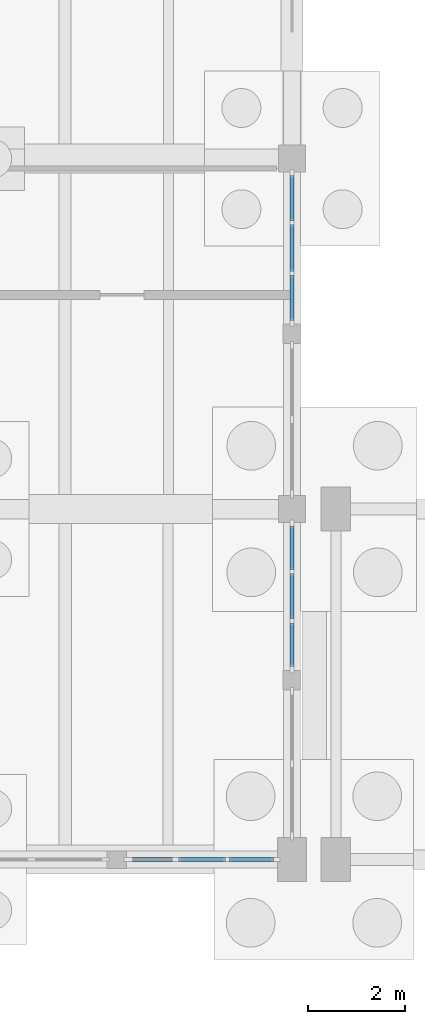
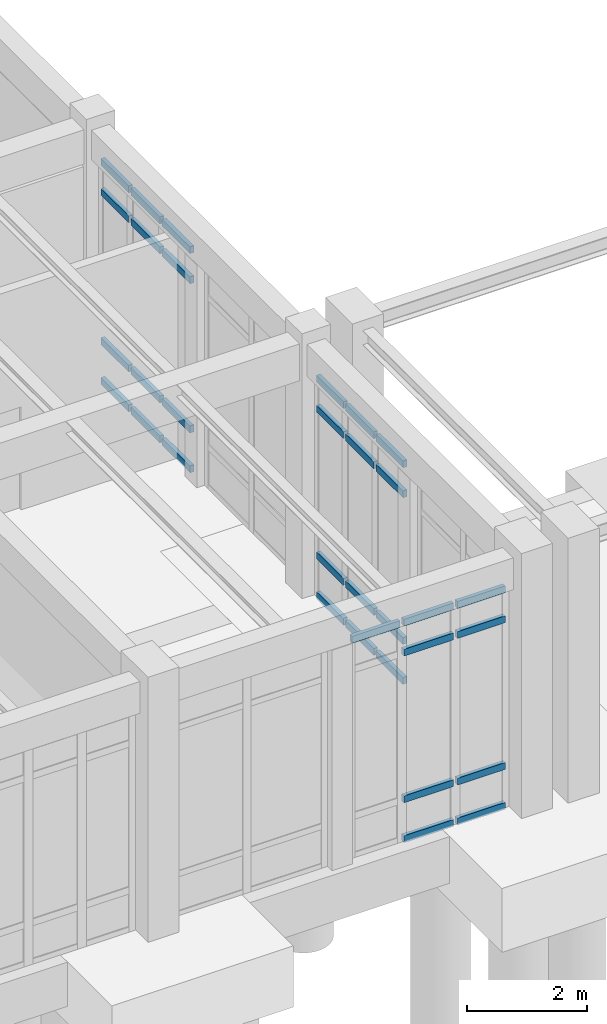
# One storey, part 44 of 93: 33 members, 3 elements without a shape of their own.
"""IFC4 building model written with IfcOpenShell, lengths in metres."""

from ifc_helpers import new_model, si_unit, direction, frame, origin, origin_2d, place, context, subcontext, project, spatial, rectangle, extrude, material, layer, layer_set, material_profile, profile_set, type_object, element, aggregate, save


model = new_model("IFC4")

# Units and contexts
model_context = context("Model", 3, precision=1e-05, world=origin(), true_north=direction((0.0, 1.0)))
body_context = subcontext(model_context, "Body", "Model", "MODEL_VIEW")
ifc_project = project(units=[si_unit("LENGTHUNIT", "METRE"), si_unit("AREAUNIT", "SQUARE_METRE"), si_unit("VOLUMEUNIT", "CUBIC_METRE"), si_unit("PLANEANGLEUNIT", "RADIAN"), si_unit("MASSUNIT", "GRAM", prefix="KILO")], contexts=[model_context])

# Site, building, storey
site_placement = place(None, origin())
site = spatial("IfcSite", under=ifc_project, at=site_placement, CompositionType="ELEMENT")
building_placement = place(site_placement, origin())
building = spatial("IfcBuilding", under=site, at=building_placement, Name="Koriwan Promenade Central Fire Station", CompositionType="ELEMENT")
storey_placement = place(building_placement, origin())
storey = spatial("IfcBuildingStorey", under=building, at=storey_placement, Name="L00", CompositionType="ELEMENT", Elevation=0.0)

# Curtain wall, members
ifc_material_1 = material(Name="Aluminium EN AW-6063-T6 and low-E glazing", Category="aluminium")
ifc_layer_1 = layer(ifc_material_1, 0.159912109375, Name="Aluminium EN AW-6063-T6 and low-E glazing")
ifc_layer_set_1 = layer_set([ifc_layer_1], Name="Aluminium EN AW-6063-T6 and low-E glazing")
curtain_wall_type_1 = type_object("IfcCurtainWallType", Name="CurtainWall_17_304x449", PredefinedType="USERDEFINED", material=ifc_layer_set_1)
curtain_wall_1_placement = place(storey_placement, origin())
curtain_wall_1 = element("IfcCurtainWall", 1, at=curtain_wall_1_placement, inside=storey, type_object=curtain_wall_type_1, Name="V3 L00 unitised curtain wall 052", ObjectType="UNITISED CURTAIN WALL", PredefinedType="USERDEFINED")
ifc_material_2 = material(Name="Aluminium EN AW-6063-T6", Category="aluminium")
ifc_material_profile = material_profile(ifc_material_2, rectangle(XDim=0.074951171875, YDim=0.139892578125, at=origin_2d()), Name="ALU-TRN-75x140")
ifc_profile_set = profile_set([ifc_material_profile], Name="Aluminium EN AW-6063-T6")
member_type = type_object("IfcMemberType", Name="CWTransom_ALU-TRN-75x140", PredefinedType="USERDEFINED", material=ifc_profile_set)
member_1_placement = place(storey_placement, frame((36.0, 3.96240234375, 0.03759765625), z_axis=(0.0, 1.0, 0.0), x_axis=(-1.0, 0.0, 0.0)))
member_1 = element("IfcMember", 2, at=member_1_placement, type_object=member_type, Name="CW-17 transom 1.1", ObjectType="TRANSOM", PredefinedType="USERDEFINED", context=body_context, shape_type="SweptSolid", body=[
    extrude(rectangle(XDim=0.074951171875, YDim=0.139892578125, at=origin_2d()), origin(), (0.0, 0.0, 1.0), 0.900146484375),
])
member_2_placement = place(storey_placement, frame((36.0, 3.96240234375, 0.85009765625), z_axis=(0.0, 1.0, 0.0), x_axis=(-1.0, 0.0, 0.0)))
member_2 = element("IfcMember", 3, at=member_2_placement, type_object=member_type, Name="CW-17 transom 1.2", ObjectType="TRANSOM", PredefinedType="USERDEFINED", context=body_context, shape_type="SweptSolid", body=[
    extrude(rectangle(XDim=0.074951171875, YDim=0.139892578125, at=origin_2d()), origin(), (0.0, 0.0, 1.0), 0.900146484375),
])
member_3_placement = place(storey_placement, frame((36.0, 3.96240234375, 3.840087890625), z_axis=(0.0, 1.0, 0.0), x_axis=(-1.0, 0.0, 0.0)))
member_3 = element("IfcMember", 4, at=member_3_placement, type_object=member_type, Name="CW-17 transom 1.3", ObjectType="TRANSOM", PredefinedType="USERDEFINED", context=body_context, shape_type="SweptSolid", body=[
    extrude(rectangle(XDim=0.074951171875, YDim=0.139892578125, at=origin_2d()), origin(), (0.0, 0.0, 1.0), 0.900146484375),
])
member_4_placement = place(storey_placement, frame((36.0, 3.96240234375, 4.452392578125), z_axis=(0.0, 1.0, 0.0), x_axis=(-1.0, 0.0, 0.0)))
member_4 = element("IfcMember", 5, at=member_4_placement, type_object=member_type, Name="CW-17 transom 1.4", ObjectType="TRANSOM", PredefinedType="USERDEFINED", context=body_context, shape_type="SweptSolid", body=[
    extrude(rectangle(XDim=0.074951171875, YDim=0.139892578125, at=origin_2d()), origin(), (0.0, 0.0, 1.0), 0.900146484375),
])
member_5_placement = place(storey_placement, frame((36.0, 4.9375, 0.03759765625), z_axis=(0.0, 1.0, 0.0), x_axis=(-1.0, 0.0, 0.0)))
member_5 = element("IfcMember", 6, at=member_5_placement, type_object=member_type, Name="CW-17 transom 2.1", ObjectType="TRANSOM", PredefinedType="USERDEFINED", context=body_context, shape_type="SweptSolid", body=[
    extrude(rectangle(XDim=0.074951171875, YDim=0.139892578125, at=origin_2d()), origin(), (0.0, 0.0, 1.0), 0.9375),
])
member_6_placement = place(storey_placement, frame((36.0, 4.9375, 0.85009765625), z_axis=(0.0, 1.0, 0.0), x_axis=(-1.0, 0.0, 0.0)))
member_6 = element("IfcMember", 7, at=member_6_placement, type_object=member_type, Name="CW-17 transom 2.2", ObjectType="TRANSOM", PredefinedType="USERDEFINED", context=body_context, shape_type="SweptSolid", body=[
    extrude(rectangle(XDim=0.074951171875, YDim=0.139892578125, at=origin_2d()), origin(), (0.0, 0.0, 1.0), 0.9375),
])
member_7_placement = place(storey_placement, frame((36.0, 4.9375, 3.840087890625), z_axis=(0.0, 1.0, 0.0), x_axis=(-1.0, 0.0, 0.0)))
member_7 = element("IfcMember", 8, at=member_7_placement, type_object=member_type, Name="CW-17 transom 2.3", ObjectType="TRANSOM", PredefinedType="USERDEFINED", context=body_context, shape_type="SweptSolid", body=[
    extrude(rectangle(XDim=0.074951171875, YDim=0.139892578125, at=origin_2d()), origin(), (0.0, 0.0, 1.0), 0.9375),
])
member_8_placement = place(storey_placement, frame((36.0, 4.9375, 4.452392578125), z_axis=(0.0, 1.0, 0.0), x_axis=(-1.0, 0.0, 0.0)))
member_8 = element("IfcMember", 9, at=member_8_placement, type_object=member_type, Name="CW-17 transom 2.4", ObjectType="TRANSOM", PredefinedType="USERDEFINED", context=body_context, shape_type="SweptSolid", body=[
    extrude(rectangle(XDim=0.074951171875, YDim=0.139892578125, at=origin_2d()), origin(), (0.0, 0.0, 1.0), 0.9375),
])
member_9_placement = place(storey_placement, frame((36.0, 5.949951171875, 0.03759765625), z_axis=(0.0, 1.0, 0.0), x_axis=(-1.0, 0.0, 0.0)))
member_9 = element("IfcMember", 10, at=member_9_placement, type_object=member_type, Name="CW-17 transom 3.1", ObjectType="TRANSOM", PredefinedType="USERDEFINED", context=body_context, shape_type="SweptSolid", body=[
    extrude(rectangle(XDim=0.074951171875, YDim=0.139892578125, at=origin_2d()), origin(), (0.0, 0.0, 1.0), 0.900146484375),
])
member_10_placement = place(storey_placement, frame((36.0, 5.949951171875, 0.85009765625), z_axis=(0.0, 1.0, 0.0), x_axis=(-1.0, 0.0, 0.0)))
member_10 = element("IfcMember", 11, at=member_10_placement, type_object=member_type, Name="CW-17 transom 3.2", ObjectType="TRANSOM", PredefinedType="USERDEFINED", context=body_context, shape_type="SweptSolid", body=[
    extrude(rectangle(XDim=0.074951171875, YDim=0.139892578125, at=origin_2d()), origin(), (0.0, 0.0, 1.0), 0.900146484375),
])
member_11_placement = place(storey_placement, frame((36.0, 5.949951171875, 3.840087890625), z_axis=(0.0, 1.0, 0.0), x_axis=(-1.0, 0.0, 0.0)))
member_11 = element("IfcMember", 12, at=member_11_placement, type_object=member_type, Name="CW-17 transom 3.3", ObjectType="TRANSOM", PredefinedType="USERDEFINED", context=body_context, shape_type="SweptSolid", body=[
    extrude(rectangle(XDim=0.074951171875, YDim=0.139892578125, at=origin_2d()), origin(), (0.0, 0.0, 1.0), 0.900146484375),
])
member_12_placement = place(storey_placement, frame((36.0, 5.949951171875, 4.452392578125), z_axis=(0.0, 1.0, 0.0), x_axis=(-1.0, 0.0, 0.0)))
member_12 = element("IfcMember", 13, at=member_12_placement, type_object=member_type, Name="CW-17 transom 3.4", ObjectType="TRANSOM", PredefinedType="USERDEFINED", context=body_context, shape_type="SweptSolid", body=[
    extrude(rectangle(XDim=0.074951171875, YDim=0.139892578125, at=origin_2d()), origin(), (0.0, 0.0, 1.0), 0.900146484375),
])
aggregate(curtain_wall_1, [member_1, member_2, member_3, member_4, member_5, member_6, member_7, member_8, member_9, member_10, member_11, member_12])

ifc_layer_2 = layer(ifc_material_1, 0.159912109375, Name="Aluminium EN AW-6063-T6 and low-E glazing")
ifc_layer_set_2 = layer_set([ifc_layer_2], Name="Aluminium EN AW-6063-T6 and low-E glazing")
curtain_wall_type_2 = type_object("IfcCurtainWallType", Name="CurtainWall_19_312x454", PredefinedType="USERDEFINED", material=ifc_layer_set_2)
curtain_wall_2_placement = place(storey_placement, origin())
curtain_wall_2 = element("IfcCurtainWall", 14, at=curtain_wall_2_placement, inside=storey, type_object=curtain_wall_type_2, Name="V3 L00 unitised curtain wall 054", ObjectType="UNITISED CURTAIN WALL", PredefinedType="USERDEFINED")
member_13_placement = place(storey_placement, frame((36.0, 11.074951171875, 0.03759765625), z_axis=(0.0, 1.0, 0.0), x_axis=(-1.0, 0.0, 0.0)))
member_13 = element("IfcMember", 15, at=member_13_placement, type_object=member_type, Name="CW-19 transom 1.1", ObjectType="TRANSOM", PredefinedType="USERDEFINED", context=body_context, shape_type="SweptSolid", body=[
    extrude(rectangle(XDim=0.074951171875, YDim=0.139892578125, at=origin_2d()), origin(), (0.0, 0.0, 1.0), 0.92919921875),
])
member_14_placement = place(storey_placement, frame((36.0, 11.074951171875, 0.85009765625), z_axis=(0.0, 1.0, 0.0), x_axis=(-1.0, 0.0, 0.0)))
member_14 = element("IfcMember", 16, at=member_14_placement, type_object=member_type, Name="CW-19 transom 1.2", ObjectType="TRANSOM", PredefinedType="USERDEFINED", context=body_context, shape_type="SweptSolid", body=[
    extrude(rectangle(XDim=0.074951171875, YDim=0.139892578125, at=origin_2d()), origin(), (0.0, 0.0, 1.0), 0.92919921875),
])
member_15_placement = place(storey_placement, frame((36.0, 11.074951171875, 3.889892578125), z_axis=(0.0, 1.0, 0.0), x_axis=(-1.0, 0.0, 0.0)))
member_15 = element("IfcMember", 17, at=member_15_placement, type_object=member_type, Name="CW-19 transom 1.3", ObjectType="TRANSOM", PredefinedType="USERDEFINED", context=body_context, shape_type="SweptSolid", body=[
    extrude(rectangle(XDim=0.074951171875, YDim=0.139892578125, at=origin_2d()), origin(), (0.0, 0.0, 1.0), 0.92919921875),
])
member_16_placement = place(storey_placement, frame((36.0, 11.074951171875, 4.50244140625), z_axis=(0.0, 1.0, 0.0), x_axis=(-1.0, 0.0, 0.0)))
member_16 = element("IfcMember", 18, at=member_16_placement, type_object=member_type, Name="CW-19 transom 1.4", ObjectType="TRANSOM", PredefinedType="USERDEFINED", context=body_context, shape_type="SweptSolid", body=[
    extrude(rectangle(XDim=0.074951171875, YDim=0.139892578125, at=origin_2d()), origin(), (0.0, 0.0, 1.0), 0.92919921875),
])
member_17_placement = place(storey_placement, frame((36.0, 12.0791015625, 0.03759765625), z_axis=(0.0, 1.0, 0.0), x_axis=(-1.0, 0.0, 0.0)))
member_17 = element("IfcMember", 19, at=member_17_placement, type_object=member_type, Name="CW-19 transom 2.1", ObjectType="TRANSOM", PredefinedType="USERDEFINED", context=body_context, shape_type="SweptSolid", body=[
    extrude(rectangle(XDim=0.074951171875, YDim=0.139892578125, at=origin_2d()), origin(), (0.0, 0.0, 1.0), 0.966796875),
])
member_18_placement = place(storey_placement, frame((36.0, 12.0791015625, 0.85009765625), z_axis=(0.0, 1.0, 0.0), x_axis=(-1.0, 0.0, 0.0)))
member_18 = element("IfcMember", 20, at=member_18_placement, type_object=member_type, Name="CW-19 transom 2.2", ObjectType="TRANSOM", PredefinedType="USERDEFINED", context=body_context, shape_type="SweptSolid", body=[
    extrude(rectangle(XDim=0.074951171875, YDim=0.139892578125, at=origin_2d()), origin(), (0.0, 0.0, 1.0), 0.966796875),
])
member_19_placement = place(storey_placement, frame((36.0, 12.0791015625, 3.889892578125), z_axis=(0.0, 1.0, 0.0), x_axis=(-1.0, 0.0, 0.0)))
member_19 = element("IfcMember", 21, at=member_19_placement, type_object=member_type, Name="CW-19 transom 2.3", ObjectType="TRANSOM", PredefinedType="USERDEFINED", context=body_context, shape_type="SweptSolid", body=[
    extrude(rectangle(XDim=0.074951171875, YDim=0.139892578125, at=origin_2d()), origin(), (0.0, 0.0, 1.0), 0.966796875),
])
member_20_placement = place(storey_placement, frame((36.0, 12.0791015625, 4.50244140625), z_axis=(0.0, 1.0, 0.0), x_axis=(-1.0, 0.0, 0.0)))
member_20 = element("IfcMember", 22, at=member_20_placement, type_object=member_type, Name="CW-19 transom 2.4", ObjectType="TRANSOM", PredefinedType="USERDEFINED", context=body_context, shape_type="SweptSolid", body=[
    extrude(rectangle(XDim=0.074951171875, YDim=0.139892578125, at=origin_2d()), origin(), (0.0, 0.0, 1.0), 0.966796875),
])
member_21_placement = place(storey_placement, frame((36.0, 13.120849609375, 0.03759765625), z_axis=(0.0, 1.0, 0.0), x_axis=(-1.0, 0.0, 0.0)))
member_21 = element("IfcMember", 23, at=member_21_placement, type_object=member_type, Name="CW-19 transom 3.1", ObjectType="TRANSOM", PredefinedType="USERDEFINED", context=body_context, shape_type="SweptSolid", body=[
    extrude(rectangle(XDim=0.074951171875, YDim=0.139892578125, at=origin_2d()), origin(), (0.0, 0.0, 1.0), 0.92919921875),
])
member_22_placement = place(storey_placement, frame((36.0, 13.120849609375, 0.85009765625), z_axis=(0.0, 1.0, 0.0), x_axis=(-1.0, 0.0, 0.0)))
member_22 = element("IfcMember", 24, at=member_22_placement, type_object=member_type, Name="CW-19 transom 3.2", ObjectType="TRANSOM", PredefinedType="USERDEFINED", context=body_context, shape_type="SweptSolid", body=[
    extrude(rectangle(XDim=0.074951171875, YDim=0.139892578125, at=origin_2d()), origin(), (0.0, 0.0, 1.0), 0.92919921875),
])
member_23_placement = place(storey_placement, frame((36.0, 13.120849609375, 3.889892578125), z_axis=(0.0, 1.0, 0.0), x_axis=(-1.0, 0.0, 0.0)))
member_23 = element("IfcMember", 25, at=member_23_placement, type_object=member_type, Name="CW-19 transom 3.3", ObjectType="TRANSOM", PredefinedType="USERDEFINED", context=body_context, shape_type="SweptSolid", body=[
    extrude(rectangle(XDim=0.074951171875, YDim=0.139892578125, at=origin_2d()), origin(), (0.0, 0.0, 1.0), 0.92919921875),
])
member_24_placement = place(storey_placement, frame((36.0, 13.120849609375, 4.50244140625), z_axis=(0.0, 1.0, 0.0), x_axis=(-1.0, 0.0, 0.0)))
member_24 = element("IfcMember", 26, at=member_24_placement, type_object=member_type, Name="CW-19 transom 3.4", ObjectType="TRANSOM", PredefinedType="USERDEFINED", context=body_context, shape_type="SweptSolid", body=[
    extrude(rectangle(XDim=0.074951171875, YDim=0.139892578125, at=origin_2d()), origin(), (0.0, 0.0, 1.0), 0.92919921875),
])
aggregate(curtain_wall_2, [member_13, member_14, member_15, member_16, member_17, member_18, member_19, member_20, member_21, member_22, member_23, member_24])

ifc_layer_3 = layer(ifc_material_1, 0.159912109375, Name="Aluminium EN AW-6063-T6 and low-E glazing")
ifc_layer_set_3 = layer_set([ifc_layer_3], Name="Aluminium EN AW-6063-T6 and low-E glazing")
curtain_wall_type_3 = type_object("IfcCurtainWallType", Name="CurtainWall_25_310x449", PredefinedType="USERDEFINED", material=ifc_layer_set_3)
curtain_wall_3_placement = place(storey_placement, origin())
curtain_wall_3 = element("IfcCurtainWall", 27, at=curtain_wall_3_placement, inside=storey, type_object=curtain_wall_type_3, Name="V3 L00 unitised curtain wall 066", ObjectType="UNITISED CURTAIN WALL", PredefinedType="USERDEFINED")
member_25_placement = place(storey_placement, frame((32.675048828125, 0.0, 4.452392578125), z_axis=(1.0, 0.0, 0.0), x_axis=(0.0, 1.0, 0.0)))
member_25 = element("IfcMember", 28, at=member_25_placement, type_object=member_type, Name="CW-25 transom 1.4", ObjectType="TRANSOM", PredefinedType="USERDEFINED", context=body_context, shape_type="SweptSolid", body=[
    extrude(rectangle(XDim=0.074951171875, YDim=0.139892578125, at=origin_2d()), origin(), (0.0, 0.0, 1.0), 0.9208984375),
])
member_26_placement = place(storey_placement, frame((33.6708984375, 0.0, 0.03759765625), z_axis=(1.0, 0.0, 0.0), x_axis=(0.0, 1.0, 0.0)))
member_26 = element("IfcMember", 29, at=member_26_placement, type_object=member_type, Name="CW-25 transom 2.1", ObjectType="TRANSOM", PredefinedType="USERDEFINED", context=body_context, shape_type="SweptSolid", body=[
    extrude(rectangle(XDim=0.074951171875, YDim=0.139892578125, at=origin_2d()), origin(), (0.0, 0.0, 1.0), 0.958251953125),
])
member_27_placement = place(storey_placement, frame((33.6708984375, 0.0, 0.85009765625), z_axis=(1.0, 0.0, 0.0), x_axis=(0.0, 1.0, 0.0)))
member_27 = element("IfcMember", 30, at=member_27_placement, type_object=member_type, Name="CW-25 transom 2.2", ObjectType="TRANSOM", PredefinedType="USERDEFINED", context=body_context, shape_type="SweptSolid", body=[
    extrude(rectangle(XDim=0.074951171875, YDim=0.139892578125, at=origin_2d()), origin(), (0.0, 0.0, 1.0), 0.958251953125),
])
member_28_placement = place(storey_placement, frame((33.6708984375, 0.0, 3.840087890625), z_axis=(1.0, 0.0, 0.0), x_axis=(0.0, 1.0, 0.0)))
member_28 = element("IfcMember", 31, at=member_28_placement, type_object=member_type, Name="CW-25 transom 2.3", ObjectType="TRANSOM", PredefinedType="USERDEFINED", context=body_context, shape_type="SweptSolid", body=[
    extrude(rectangle(XDim=0.074951171875, YDim=0.139892578125, at=origin_2d()), origin(), (0.0, 0.0, 1.0), 0.958251953125),
])
member_29_placement = place(storey_placement, frame((33.6708984375, 0.0, 4.452392578125), z_axis=(1.0, 0.0, 0.0), x_axis=(0.0, 1.0, 0.0)))
member_29 = element("IfcMember", 32, at=member_29_placement, type_object=member_type, Name="CW-25 transom 2.4", ObjectType="TRANSOM", PredefinedType="USERDEFINED", context=body_context, shape_type="SweptSolid", body=[
    extrude(rectangle(XDim=0.074951171875, YDim=0.139892578125, at=origin_2d()), origin(), (0.0, 0.0, 1.0), 0.958251953125),
])
member_30_placement = place(storey_placement, frame((34.7041015625, 0.0, 0.03759765625), z_axis=(1.0, 0.0, 0.0), x_axis=(0.0, 1.0, 0.0)))
member_30 = element("IfcMember", 33, at=member_30_placement, type_object=member_type, Name="CW-25 transom 3.1", ObjectType="TRANSOM", PredefinedType="USERDEFINED", context=body_context, shape_type="SweptSolid", body=[
    extrude(rectangle(XDim=0.074951171875, YDim=0.139892578125, at=origin_2d()), origin(), (0.0, 0.0, 1.0), 0.9208984375),
])
member_31_placement = place(storey_placement, frame((34.7041015625, 0.0, 0.85009765625), z_axis=(1.0, 0.0, 0.0), x_axis=(0.0, 1.0, 0.0)))
member_31 = element("IfcMember", 34, at=member_31_placement, type_object=member_type, Name="CW-25 transom 3.2", ObjectType="TRANSOM", PredefinedType="USERDEFINED", context=body_context, shape_type="SweptSolid", body=[
    extrude(rectangle(XDim=0.074951171875, YDim=0.139892578125, at=origin_2d()), origin(), (0.0, 0.0, 1.0), 0.9208984375),
])
member_32_placement = place(storey_placement, frame((34.7041015625, 0.0, 3.840087890625), z_axis=(1.0, 0.0, 0.0), x_axis=(0.0, 1.0, 0.0)))
member_32 = element("IfcMember", 35, at=member_32_placement, type_object=member_type, Name="CW-25 transom 3.3", ObjectType="TRANSOM", PredefinedType="USERDEFINED", context=body_context, shape_type="SweptSolid", body=[
    extrude(rectangle(XDim=0.074951171875, YDim=0.139892578125, at=origin_2d()), origin(), (0.0, 0.0, 1.0), 0.9208984375),
])
member_33_placement = place(storey_placement, frame((34.7041015625, 0.0, 4.452392578125), z_axis=(1.0, 0.0, 0.0), x_axis=(0.0, 1.0, 0.0)))
member_33 = element("IfcMember", 36, at=member_33_placement, type_object=member_type, Name="CW-25 transom 3.4", ObjectType="TRANSOM", PredefinedType="USERDEFINED", context=body_context, shape_type="SweptSolid", body=[
    extrude(rectangle(XDim=0.074951171875, YDim=0.139892578125, at=origin_2d()), origin(), (0.0, 0.0, 1.0), 0.9208984375),
])
aggregate(curtain_wall_3, [member_25, member_26, member_27, member_28, member_29, member_30, member_31, member_32, member_33])

save(model, "model.ifc")
